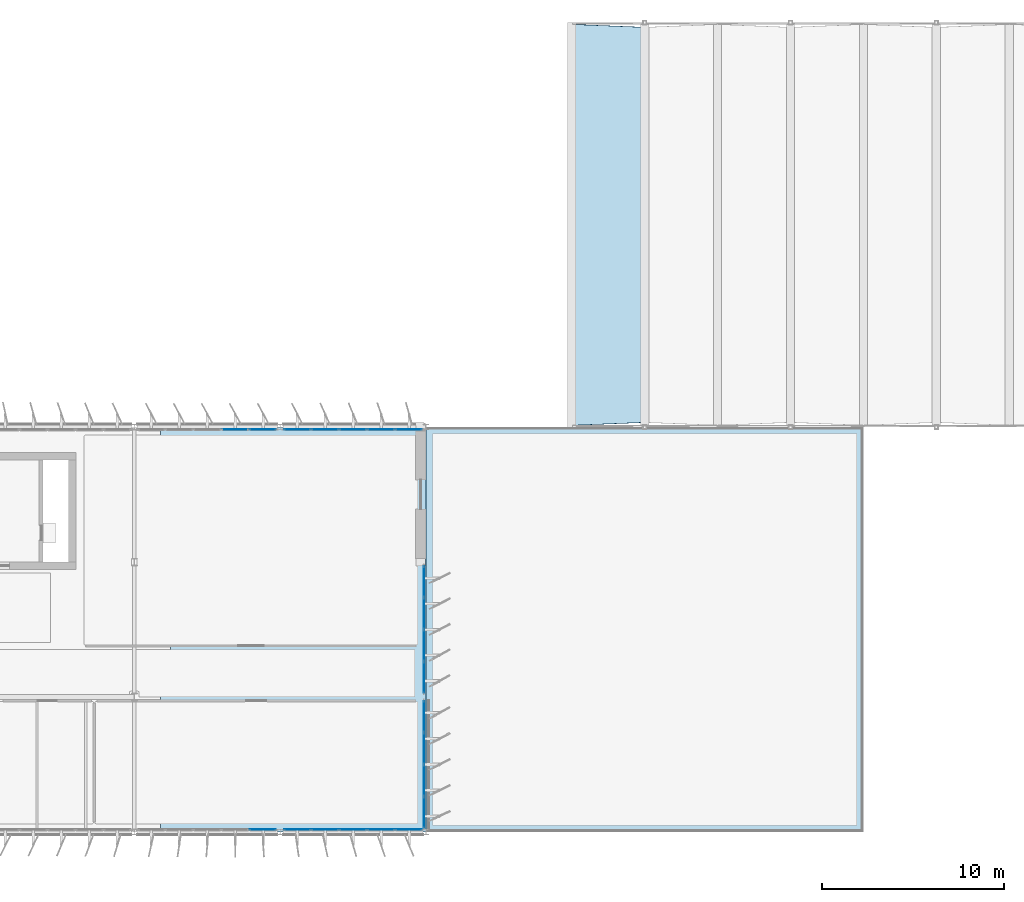
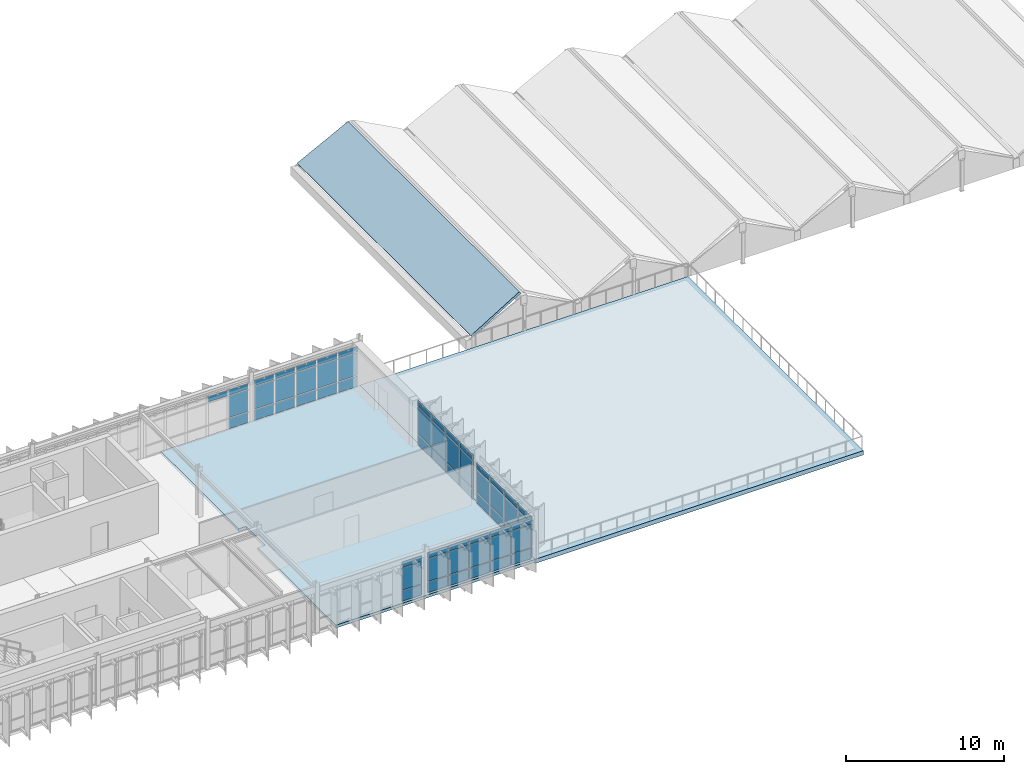
# One storey, part 23 of 35: 61 plates, 3 slabs, 6 elements without a shape of their own.
"""IFC4 building model written with IfcOpenShell, lengths in metres."""

from ifc_helpers import new_model, si_unit, direction, frame, origin, origin_2d, place, context, subcontext, project, spatial, polyline, rectangle, outline, extrude, material, layer, layer_set, type_object, element, aggregate, save


model = new_model("IFC4")

# Units and contexts
model_context = context("Model", 3, precision=1e-05, world=origin(), true_north=direction((0.0, 1.0)))
body_context = subcontext(model_context, "Body", "Model", "MODEL_VIEW")
ifc_project = project(units=[si_unit("LENGTHUNIT", "METRE"), si_unit("AREAUNIT", "SQUARE_METRE"), si_unit("VOLUMEUNIT", "CUBIC_METRE"), si_unit("PLANEANGLEUNIT", "RADIAN"), si_unit("MASSUNIT", "GRAM", prefix="KILO")], contexts=[model_context])

# Site, building, storey
site_placement = place(None, origin())
site = spatial("IfcSite", under=ifc_project, at=site_placement, CompositionType="ELEMENT")
building_placement = place(site_placement, origin())
building = spatial("IfcBuilding", under=site, at=building_placement, Name="Valkorina Park Police Headquarters", CompositionType="ELEMENT")
storey_placement = place(building_placement, frame((0.0, 0.0, 27.199951171875)))
storey = spatial("IfcBuildingStorey", under=building, at=storey_placement, Name="L07", CompositionType="ELEMENT", Elevation=27.199951171875)

# Curtain wall, plates
ifc_material_1 = material(Name="Thermally broken aluminium AW-6060", Category="aluminium")
ifc_layer_1 = layer(ifc_material_1, 0.18994140625)
ifc_layer_set_1 = layer_set([ifc_layer_1], Name="Thermally broken aluminium AW-6060")
curtain_wall_type_1 = type_object("IfcCurtainWallType", Name="CW-V5-7680x3230", PredefinedType="NOTDEFINED", material=ifc_layer_set_1)
curtain_wall_1_placement = place(storey_placement, origin())
curtain_wall_1 = element("IfcCurtainWall", 1, at=curtain_wall_1_placement, inside=storey, type_object=curtain_wall_type_1, Name="L07 Unitised Curtain Wall 133", PredefinedType="NOTDEFINED")
ifc_layer_2 = layer(ifc_material_1, 0.050048828125)
ifc_layer_set_2 = layer_set([ifc_layer_2], Name="Thermally broken aluminium AW-6060")
plate_type_1 = type_object("IfcPlateType", Name="PL-CWP-SPANDREL-50", PredefinedType="CURTAIN_PANEL", material=ifc_layer_set_2)
plate_1_placement = place(storey_placement, frame((71.8544921875, 37.1201171875, 0.070068359375), z_axis=(0.0, 0.0, 1.0), x_axis=(-1.0, 0.0, 0.0)))
plate_1 = element("IfcPlate", 2, at=plate_1_placement, type_object=plate_type_1, Name="CW-V5-768-323 panel 1.1", PredefinedType="CURTAIN_PANEL", context=body_context, shape_type="SweptSolid", body=[
    extrude(rectangle(XDim=1.430908203125, YDim=0.028076171875, at=origin_2d()), origin(), (0.0, 0.0, 1.0), 0.794921875),
])
plate_2_placement = place(storey_placement, frame((70.3359375, 37.1201171875, 0.070068359375), z_axis=(0.0, 0.0, 1.0), x_axis=(-1.0, 0.0, 0.0)))
plate_2 = element("IfcPlate", 3, at=plate_2_placement, type_object=plate_type_1, Name="CW-V5-768-323 panel 2.1", PredefinedType="CURTAIN_PANEL", context=body_context, shape_type="SweptSolid", body=[
    extrude(rectangle(XDim=1.466064453125, YDim=0.028076171875, at=origin_2d()), origin(), (0.0, 0.0, 1.0), 0.794921875),
])
plate_3_placement = place(storey_placement, frame((68.800048828125, 37.1201171875, 0.070068359375), z_axis=(0.0, 0.0, 1.0), x_axis=(-1.0, 0.0, 0.0)))
plate_3 = element("IfcPlate", 4, at=plate_3_placement, type_object=plate_type_1, Name="CW-V5-768-323 panel 3.1", PredefinedType="CURTAIN_PANEL", context=body_context, shape_type="SweptSolid", body=[
    extrude(rectangle(XDim=1.466064453125, YDim=0.028076171875, at=origin_2d()), origin(), (0.0, 0.0, 1.0), 0.794921875),
])
plate_4_placement = place(storey_placement, frame((67.263916015625, 37.1201171875, 0.070068359375), z_axis=(0.0, 0.0, 1.0), x_axis=(-1.0, 0.0, 0.0)))
plate_4 = element("IfcPlate", 5, at=plate_4_placement, type_object=plate_type_1, Name="CW-V5-768-323 panel 4.1", PredefinedType="CURTAIN_PANEL", context=body_context, shape_type="SweptSolid", body=[
    extrude(rectangle(XDim=1.466064453125, YDim=0.028076171875, at=origin_2d()), origin(), (0.0, 0.0, 1.0), 0.794921875),
])
plate_5_placement = place(storey_placement, frame((65.74560546875, 37.1201171875, 0.070068359375), z_axis=(0.0, 0.0, 1.0), x_axis=(-1.0, 0.0, 0.0)))
plate_5 = element("IfcPlate", 6, at=plate_5_placement, type_object=plate_type_1, Name="CW-V5-768-323 panel 5.1", PredefinedType="CURTAIN_PANEL", context=body_context, shape_type="SweptSolid", body=[
    extrude(rectangle(XDim=1.430908203125, YDim=0.028076171875, at=origin_2d()), origin(), (0.0, 0.0, 1.0), 0.794921875),
])

# Curtain wall, plate
ifc_layer_3 = layer(ifc_material_1, 0.18994140625)
ifc_layer_set_3 = layer_set([ifc_layer_3], Name="Thermally broken aluminium AW-6060")
curtain_wall_type_2 = type_object("IfcCurtainWallType", Name="CW-V5-7680x3160", PredefinedType="NOTDEFINED", material=ifc_layer_set_3)
curtain_wall_2_placement = place(storey_placement, origin())
curtain_wall_2 = element("IfcCurtainWall", 7, at=curtain_wall_2_placement, inside=storey, type_object=curtain_wall_type_2, Name="L07 Unitised Curtain Wall 134", PredefinedType="NOTDEFINED")
plate_6_placement = place(storey_placement, frame((63.8544921875, 37.1201171875, 0.070068359375), z_axis=(0.0, 0.0, 1.0), x_axis=(-1.0, 0.0, 0.0)))
plate_6 = element("IfcPlate", 8, at=plate_6_placement, type_object=plate_type_1, Name="CW-V5-768-316 panel 1.1", PredefinedType="CURTAIN_PANEL", context=body_context, shape_type="SweptSolid", body=[
    extrude(rectangle(XDim=1.430908203125, YDim=0.028076171875, at=origin_2d()), origin(), (0.0, 0.0, 1.0), 0.794921875),
])

curtain_wall_3_placement = place(storey_placement, origin())
curtain_wall_3 = element("IfcCurtainWall", 9, at=curtain_wall_3_placement, inside=storey, type_object=curtain_wall_type_2, Name="L07 Unitised Curtain Wall 152", PredefinedType="NOTDEFINED")
plate_7_placement = place(storey_placement, frame((63.8544921875, 59.080078125, 0.070068359375), z_axis=(0.0, 0.0, 1.0), x_axis=(1.0, 0.0, 0.0)))
plate_7 = element("IfcPlate", 10, at=plate_7_placement, type_object=plate_type_1, Name="CW-V5-768-316 panel 5.1", PredefinedType="CURTAIN_PANEL", context=body_context, shape_type="SweptSolid", body=[
    extrude(rectangle(XDim=1.430908203125, YDim=0.028076171875, at=origin_2d()), origin(), (0.0, 0.0, 1.0), 0.794921875),
])

# Curtain wall, plates
curtain_wall_4_placement = place(storey_placement, origin())
curtain_wall_4 = element("IfcCurtainWall", 11, at=curtain_wall_4_placement, inside=storey, type_object=curtain_wall_type_1, Name="L07 Unitised Curtain Wall 153", PredefinedType="NOTDEFINED")
plate_8_placement = place(storey_placement, frame((65.74560546875, 59.080078125, 0.070068359375), z_axis=(0.0, 0.0, 1.0), x_axis=(1.0, 0.0, 0.0)))
plate_8 = element("IfcPlate", 12, at=plate_8_placement, type_object=plate_type_1, Name="CW-V5-768-323 panel 1.1", PredefinedType="CURTAIN_PANEL", context=body_context, shape_type="SweptSolid", body=[
    extrude(rectangle(XDim=1.430908203125, YDim=0.028076171875, at=origin_2d()), origin(), (0.0, 0.0, 1.0), 0.794921875),
])
plate_9_placement = place(storey_placement, frame((67.263916015625, 59.080078125, 0.070068359375), z_axis=(0.0, 0.0, 1.0), x_axis=(1.0, 0.0, 0.0)))
plate_9 = element("IfcPlate", 13, at=plate_9_placement, type_object=plate_type_1, Name="CW-V5-768-323 panel 2.1", PredefinedType="CURTAIN_PANEL", context=body_context, shape_type="SweptSolid", body=[
    extrude(rectangle(XDim=1.466064453125, YDim=0.028076171875, at=origin_2d()), origin(), (0.0, 0.0, 1.0), 0.794921875),
])
plate_10_placement = place(storey_placement, frame((68.800048828125, 59.080078125, 0.070068359375), z_axis=(0.0, 0.0, 1.0), x_axis=(1.0, 0.0, 0.0)))
plate_10 = element("IfcPlate", 14, at=plate_10_placement, type_object=plate_type_1, Name="CW-V5-768-323 panel 3.1", PredefinedType="CURTAIN_PANEL", context=body_context, shape_type="SweptSolid", body=[
    extrude(rectangle(XDim=1.466064453125, YDim=0.028076171875, at=origin_2d()), origin(), (0.0, 0.0, 1.0), 0.794921875),
])
plate_11_placement = place(storey_placement, frame((70.3359375, 59.080078125, 0.070068359375), z_axis=(0.0, 0.0, 1.0), x_axis=(1.0, 0.0, 0.0)))
plate_11 = element("IfcPlate", 15, at=plate_11_placement, type_object=plate_type_1, Name="CW-V5-768-323 panel 4.1", PredefinedType="CURTAIN_PANEL", context=body_context, shape_type="SweptSolid", body=[
    extrude(rectangle(XDim=1.466064453125, YDim=0.028076171875, at=origin_2d()), origin(), (0.0, 0.0, 1.0), 0.794921875),
])
plate_12_placement = place(storey_placement, frame((71.8544921875, 59.080078125, 0.070068359375), z_axis=(0.0, 0.0, 1.0), x_axis=(1.0, 0.0, 0.0)))
plate_12 = element("IfcPlate", 16, at=plate_12_placement, type_object=plate_type_1, Name="CW-V5-768-323 panel 5.1", PredefinedType="CURTAIN_PANEL", context=body_context, shape_type="SweptSolid", body=[
    extrude(rectangle(XDim=1.430908203125, YDim=0.028076171875, at=origin_2d()), origin(), (0.0, 0.0, 1.0), 0.794921875),
])

ifc_layer_4 = layer(ifc_material_1, 0.18994140625)
ifc_layer_set_4 = layer_set([ifc_layer_4], Name="Thermally broken aluminium AW-6060")
curtain_wall_type_3 = type_object("IfcCurtainWallType", Name="CW-V5-7060x3560", PredefinedType="NOTDEFINED", material=ifc_layer_set_4)
curtain_wall_5_placement = place(storey_placement, origin())
curtain_wall_5 = element("IfcCurtainWall", 17, at=curtain_wall_5_placement, inside=storey, type_object=curtain_wall_type_3, Name="L07 Unitised Curtain Wall 154", PredefinedType="NOTDEFINED")
plate_13_placement = place(storey_placement, frame((72.679931640625, 50.72998046875, 0.070068359375), z_axis=(0.0, 0.0, 1.0), x_axis=(0.0, -1.0, 0.0)))
plate_13 = element("IfcPlate", 18, at=plate_13_placement, type_object=plate_type_1, Name="CW-V5-706-356 panel 1.1", PredefinedType="CURTAIN_PANEL", context=body_context, shape_type="SweptSolid", body=[
    extrude(rectangle(XDim=1.659912109375, YDim=0.028076171875, at=origin_2d()), origin(), (0.0, 0.0, 1.0), 0.794921875),
])
plate_14_placement = place(storey_placement, frame((72.679931640625, 48.982421875, 0.070068359375), z_axis=(0.0, 0.0, 1.0), x_axis=(0.0, -1.0, 0.0)))
plate_14 = element("IfcPlate", 19, at=plate_14_placement, type_object=plate_type_1, Name="CW-V5-706-356 panel 2.1", PredefinedType="CURTAIN_PANEL", context=body_context, shape_type="SweptSolid", body=[
    extrude(rectangle(XDim=1.695068359375, YDim=0.028076171875, at=origin_2d()), origin(), (0.0, 0.0, 1.0), 0.794921875),
])
plate_15_placement = place(storey_placement, frame((72.679931640625, 47.217529296875, 0.070068359375), z_axis=(0.0, 0.0, 1.0), x_axis=(0.0, -1.0, 0.0)))
plate_15 = element("IfcPlate", 20, at=plate_15_placement, type_object=plate_type_1, Name="CW-V5-706-356 panel 3.1", PredefinedType="CURTAIN_PANEL", context=body_context, shape_type="SweptSolid", body=[
    extrude(rectangle(XDim=1.695068359375, YDim=0.028076171875, at=origin_2d()), origin(), (0.0, 0.0, 1.0), 0.794921875),
])
plate_16_placement = place(storey_placement, frame((72.679931640625, 45.469970703125, 0.070068359375), z_axis=(0.0, 0.0, 1.0), x_axis=(0.0, -1.0, 0.0)))
plate_16 = element("IfcPlate", 21, at=plate_16_placement, type_object=plate_type_1, Name="CW-V5-706-356 panel 4.1", PredefinedType="CURTAIN_PANEL", context=body_context, shape_type="SweptSolid", body=[
    extrude(rectangle(XDim=1.659912109375, YDim=0.028076171875, at=origin_2d()), origin(), (0.0, 0.0, 1.0), 0.794921875),
])

ifc_layer_5 = layer(ifc_material_1, 0.18994140625)
ifc_layer_set_5 = layer_set([ifc_layer_5], Name="Thermally broken aluminium AW-6060")
curtain_wall_type_4 = type_object("IfcCurtainWallType", Name="CW-V5-7070x3230", PredefinedType="NOTDEFINED", material=ifc_layer_set_5)
curtain_wall_6_placement = place(storey_placement, origin())
curtain_wall_6 = element("IfcCurtainWall", 22, at=curtain_wall_6_placement, inside=storey, type_object=curtain_wall_type_4, Name="L07 Unitised Curtain Wall 155", PredefinedType="NOTDEFINED")
plate_17_placement = place(storey_placement, frame((72.679931640625, 43.328857421875, 0.070068359375), z_axis=(0.0, 0.0, 1.0), x_axis=(0.0, -1.0, 0.0)))
plate_17 = element("IfcPlate", 23, at=plate_17_placement, type_object=plate_type_1, Name="CW-V5-707-323 panel 1.1", PredefinedType="CURTAIN_PANEL", context=body_context, shape_type="SweptSolid", body=[
    extrude(rectangle(XDim=1.66259765625, YDim=0.028076171875, at=origin_2d()), origin(), (0.0, 0.0, 1.0), 0.794921875),
])
plate_18_placement = place(storey_placement, frame((72.679931640625, 41.578857421875, 0.070068359375), z_axis=(0.0, 0.0, 1.0), x_axis=(0.0, -1.0, 0.0)))
plate_18 = element("IfcPlate", 24, at=plate_18_placement, type_object=plate_type_1, Name="CW-V5-707-323 panel 2.1", PredefinedType="CURTAIN_PANEL", context=body_context, shape_type="SweptSolid", body=[
    extrude(rectangle(XDim=1.697509765625, YDim=0.028076171875, at=origin_2d()), origin(), (0.0, 0.0, 1.0), 0.794921875),
])
plate_19_placement = place(storey_placement, frame((72.679931640625, 39.811279296875, 0.070068359375), z_axis=(0.0, 0.0, 1.0), x_axis=(0.0, -1.0, 0.0)))
plate_19 = element("IfcPlate", 25, at=plate_19_placement, type_object=plate_type_1, Name="CW-V5-707-323 panel 3.1", PredefinedType="CURTAIN_PANEL", context=body_context, shape_type="SweptSolid", body=[
    extrude(rectangle(XDim=1.697509765625, YDim=0.028076171875, at=origin_2d()), origin(), (0.0, 0.0, 1.0), 0.794921875),
])
plate_20_placement = place(storey_placement, frame((72.679931640625, 38.061279296875, 0.070068359375), z_axis=(0.0, 0.0, 1.0), x_axis=(0.0, -1.0, 0.0)))
plate_20 = element("IfcPlate", 26, at=plate_20_placement, type_object=plate_type_1, Name="CW-V5-707-323 panel 4.1", PredefinedType="CURTAIN_PANEL", context=body_context, shape_type="SweptSolid", body=[
    extrude(rectangle(XDim=1.66259765625, YDim=0.028076171875, at=origin_2d()), origin(), (0.0, 0.0, 1.0), 0.794921875),
])

# Plate
ifc_material_2 = material(Name="Triple low-E insulated glazing", Category="glass")
ifc_layer_6 = layer(ifc_material_2, 0.028076171875)
ifc_layer_set_6 = layer_set([ifc_layer_6], Name="Triple low-E insulated glazing")
plate_type_2 = type_object("IfcPlateType", Name="PL-CWP-VISION-28", PredefinedType="CURTAIN_PANEL", material=ifc_layer_set_6)
plate_21_placement = place(storey_placement, frame((71.8544921875, 37.1201171875, 0.93505859375), z_axis=(0.0, 0.0, 1.0), x_axis=(-1.0, 0.0, 0.0)))
plate_21 = element("IfcPlate", 27, at=plate_21_placement, type_object=plate_type_2, Name="CW-V5-768-323 panel 1.2", PredefinedType="CURTAIN_PANEL", context=body_context, shape_type="SweptSolid", body=[
    extrude(rectangle(XDim=1.430908203125, YDim=0.028076171875, at=origin_2d()), origin(), (0.0, 0.0, 1.0), 1.739990234375),
])

plate_22_placement = place(storey_placement, frame((71.8544921875, 37.1201171875, 2.7451171875), z_axis=(0.0, 0.0, 1.0), x_axis=(-1.0, 0.0, 0.0)))
plate_22 = element("IfcPlate", 28, at=plate_22_placement, type_object=plate_type_2, Name="CW-V5-768-323 panel 1.3", PredefinedType="CURTAIN_PANEL", context=body_context, shape_type="SweptSolid", body=[
    extrude(rectangle(XDim=1.430908203125, YDim=0.028076171875, at=origin_2d()), origin(), (0.0, 0.0, 1.0), 0.4150390625),
])

plate_23_placement = place(storey_placement, frame((70.3359375, 37.1201171875, 0.93505859375), z_axis=(0.0, 0.0, 1.0), x_axis=(-1.0, 0.0, 0.0)))
plate_23 = element("IfcPlate", 29, at=plate_23_placement, type_object=plate_type_2, Name="CW-V5-768-323 panel 2.2", PredefinedType="CURTAIN_PANEL", context=body_context, shape_type="SweptSolid", body=[
    extrude(rectangle(XDim=1.466064453125, YDim=0.028076171875, at=origin_2d()), origin(), (0.0, 0.0, 1.0), 1.739990234375),
])

plate_24_placement = place(storey_placement, frame((70.3359375, 37.1201171875, 2.7451171875), z_axis=(0.0, 0.0, 1.0), x_axis=(-1.0, 0.0, 0.0)))
plate_24 = element("IfcPlate", 30, at=plate_24_placement, type_object=plate_type_2, Name="CW-V5-768-323 panel 2.3", PredefinedType="CURTAIN_PANEL", context=body_context, shape_type="SweptSolid", body=[
    extrude(rectangle(XDim=1.466064453125, YDim=0.028076171875, at=origin_2d()), origin(), (0.0, 0.0, 1.0), 0.4150390625),
])

plate_25_placement = place(storey_placement, frame((68.800048828125, 37.1201171875, 0.93505859375), z_axis=(0.0, 0.0, 1.0), x_axis=(-1.0, 0.0, 0.0)))
plate_25 = element("IfcPlate", 31, at=plate_25_placement, type_object=plate_type_2, Name="CW-V5-768-323 panel 3.2", PredefinedType="CURTAIN_PANEL", context=body_context, shape_type="SweptSolid", body=[
    extrude(rectangle(XDim=1.466064453125, YDim=0.028076171875, at=origin_2d()), origin(), (0.0, 0.0, 1.0), 1.739990234375),
])

plate_26_placement = place(storey_placement, frame((68.800048828125, 37.1201171875, 2.7451171875), z_axis=(0.0, 0.0, 1.0), x_axis=(-1.0, 0.0, 0.0)))
plate_26 = element("IfcPlate", 32, at=plate_26_placement, type_object=plate_type_2, Name="CW-V5-768-323 panel 3.3", PredefinedType="CURTAIN_PANEL", context=body_context, shape_type="SweptSolid", body=[
    extrude(rectangle(XDim=1.466064453125, YDim=0.028076171875, at=origin_2d()), origin(), (0.0, 0.0, 1.0), 0.4150390625),
])

plate_27_placement = place(storey_placement, frame((67.263916015625, 37.1201171875, 0.93505859375), z_axis=(0.0, 0.0, 1.0), x_axis=(-1.0, 0.0, 0.0)))
plate_27 = element("IfcPlate", 33, at=plate_27_placement, type_object=plate_type_2, Name="CW-V5-768-323 panel 4.2", PredefinedType="CURTAIN_PANEL", context=body_context, shape_type="SweptSolid", body=[
    extrude(rectangle(XDim=1.466064453125, YDim=0.028076171875, at=origin_2d()), origin(), (0.0, 0.0, 1.0), 1.739990234375),
])

plate_28_placement = place(storey_placement, frame((67.263916015625, 37.1201171875, 2.7451171875), z_axis=(0.0, 0.0, 1.0), x_axis=(-1.0, 0.0, 0.0)))
plate_28 = element("IfcPlate", 34, at=plate_28_placement, type_object=plate_type_2, Name="CW-V5-768-323 panel 4.3", PredefinedType="CURTAIN_PANEL", context=body_context, shape_type="SweptSolid", body=[
    extrude(rectangle(XDim=1.466064453125, YDim=0.028076171875, at=origin_2d()), origin(), (0.0, 0.0, 1.0), 0.4150390625),
])

plate_29_placement = place(storey_placement, frame((65.74560546875, 37.1201171875, 0.93505859375), z_axis=(0.0, 0.0, 1.0), x_axis=(-1.0, 0.0, 0.0)))
plate_29 = element("IfcPlate", 35, at=plate_29_placement, type_object=plate_type_2, Name="CW-V5-768-323 panel 5.2", PredefinedType="CURTAIN_PANEL", context=body_context, shape_type="SweptSolid", body=[
    extrude(rectangle(XDim=1.430908203125, YDim=0.028076171875, at=origin_2d()), origin(), (0.0, 0.0, 1.0), 1.739990234375),
])

plate_30_placement = place(storey_placement, frame((65.74560546875, 37.1201171875, 2.7451171875), z_axis=(0.0, 0.0, 1.0), x_axis=(-1.0, 0.0, 0.0)))
plate_30 = element("IfcPlate", 36, at=plate_30_placement, type_object=plate_type_2, Name="CW-V5-768-323 panel 5.3", PredefinedType="CURTAIN_PANEL", context=body_context, shape_type="SweptSolid", body=[
    extrude(rectangle(XDim=1.430908203125, YDim=0.028076171875, at=origin_2d()), origin(), (0.0, 0.0, 1.0), 0.4150390625),
])

aggregate(curtain_wall_1, [plate_1, plate_21, plate_22, plate_2, plate_23, plate_24, plate_3, plate_25, plate_26, plate_4, plate_27, plate_28, plate_5, plate_29, plate_30])

plate_31_placement = place(storey_placement, frame((63.8544921875, 37.1201171875, 0.93505859375), z_axis=(0.0, 0.0, 1.0), x_axis=(-1.0, 0.0, 0.0)))
plate_31 = element("IfcPlate", 37, at=plate_31_placement, type_object=plate_type_2, Name="CW-V5-768-316 panel 1.2", PredefinedType="CURTAIN_PANEL", context=body_context, shape_type="SweptSolid", body=[
    extrude(rectangle(XDim=1.430908203125, YDim=0.028076171875, at=origin_2d()), origin(), (0.0, 0.0, 1.0), 1.669921875),
])

plate_32_placement = place(storey_placement, frame((63.8544921875, 37.1201171875, 2.675048828125), z_axis=(0.0, 0.0, 1.0), x_axis=(-1.0, 0.0, 0.0)))
plate_32 = element("IfcPlate", 38, at=plate_32_placement, type_object=plate_type_2, Name="CW-V5-768-316 panel 1.3", PredefinedType="CURTAIN_PANEL", context=body_context, shape_type="SweptSolid", body=[
    extrude(rectangle(XDim=1.430908203125, YDim=0.028076171875, at=origin_2d()), origin(), (0.0, 0.0, 1.0), 0.4150390625),
])

aggregate(curtain_wall_2, [plate_6, plate_31, plate_32])

plate_33_placement = place(storey_placement, frame((62.3359375, 59.080078125, 2.675048828125), z_axis=(0.0, 0.0, 1.0), x_axis=(1.0, 0.0, 0.0)))
plate_33 = element("IfcPlate", 39, at=plate_33_placement, type_object=plate_type_2, Name="CW-V5-768-316 panel 4.3", PredefinedType="CURTAIN_PANEL", context=body_context, shape_type="SweptSolid", body=[
    extrude(rectangle(XDim=1.466064453125, YDim=0.028076171875, at=origin_2d()), origin(), (0.0, 0.0, 1.0), 0.4150390625),
])

plate_34_placement = place(storey_placement, frame((63.8544921875, 59.080078125, 0.93505859375), z_axis=(0.0, 0.0, 1.0), x_axis=(1.0, 0.0, 0.0)))
plate_34 = element("IfcPlate", 40, at=plate_34_placement, type_object=plate_type_2, Name="CW-V5-768-316 panel 5.2", PredefinedType="CURTAIN_PANEL", context=body_context, shape_type="SweptSolid", body=[
    extrude(rectangle(XDim=1.430908203125, YDim=0.028076171875, at=origin_2d()), origin(), (0.0, 0.0, 1.0), 1.669921875),
])

plate_35_placement = place(storey_placement, frame((63.8544921875, 59.080078125, 2.675048828125), z_axis=(0.0, 0.0, 1.0), x_axis=(1.0, 0.0, 0.0)))
plate_35 = element("IfcPlate", 41, at=plate_35_placement, type_object=plate_type_2, Name="CW-V5-768-316 panel 5.3", PredefinedType="CURTAIN_PANEL", context=body_context, shape_type="SweptSolid", body=[
    extrude(rectangle(XDim=1.430908203125, YDim=0.028076171875, at=origin_2d()), origin(), (0.0, 0.0, 1.0), 0.4150390625),
])

aggregate(curtain_wall_3, [plate_33, plate_7, plate_34, plate_35])

plate_36_placement = place(storey_placement, frame((65.74560546875, 59.080078125, 0.93505859375), z_axis=(0.0, 0.0, 1.0), x_axis=(1.0, 0.0, 0.0)))
plate_36 = element("IfcPlate", 42, at=plate_36_placement, type_object=plate_type_2, Name="CW-V5-768-323 panel 1.2", PredefinedType="CURTAIN_PANEL", context=body_context, shape_type="SweptSolid", body=[
    extrude(rectangle(XDim=1.430908203125, YDim=0.028076171875, at=origin_2d()), origin(), (0.0, 0.0, 1.0), 1.739990234375),
])

plate_37_placement = place(storey_placement, frame((65.74560546875, 59.080078125, 2.7451171875), z_axis=(0.0, 0.0, 1.0), x_axis=(1.0, 0.0, 0.0)))
plate_37 = element("IfcPlate", 43, at=plate_37_placement, type_object=plate_type_2, Name="CW-V5-768-323 panel 1.3", PredefinedType="CURTAIN_PANEL", context=body_context, shape_type="SweptSolid", body=[
    extrude(rectangle(XDim=1.430908203125, YDim=0.028076171875, at=origin_2d()), origin(), (0.0, 0.0, 1.0), 0.4150390625),
])

plate_38_placement = place(storey_placement, frame((67.263916015625, 59.080078125, 0.93505859375), z_axis=(0.0, 0.0, 1.0), x_axis=(1.0, 0.0, 0.0)))
plate_38 = element("IfcPlate", 44, at=plate_38_placement, type_object=plate_type_2, Name="CW-V5-768-323 panel 2.2", PredefinedType="CURTAIN_PANEL", context=body_context, shape_type="SweptSolid", body=[
    extrude(rectangle(XDim=1.466064453125, YDim=0.028076171875, at=origin_2d()), origin(), (0.0, 0.0, 1.0), 1.739990234375),
])

plate_39_placement = place(storey_placement, frame((67.263916015625, 59.080078125, 2.7451171875), z_axis=(0.0, 0.0, 1.0), x_axis=(1.0, 0.0, 0.0)))
plate_39 = element("IfcPlate", 45, at=plate_39_placement, type_object=plate_type_2, Name="CW-V5-768-323 panel 2.3", PredefinedType="CURTAIN_PANEL", context=body_context, shape_type="SweptSolid", body=[
    extrude(rectangle(XDim=1.466064453125, YDim=0.028076171875, at=origin_2d()), origin(), (0.0, 0.0, 1.0), 0.4150390625),
])

plate_40_placement = place(storey_placement, frame((68.800048828125, 59.080078125, 0.93505859375), z_axis=(0.0, 0.0, 1.0), x_axis=(1.0, 0.0, 0.0)))
plate_40 = element("IfcPlate", 46, at=plate_40_placement, type_object=plate_type_2, Name="CW-V5-768-323 panel 3.2", PredefinedType="CURTAIN_PANEL", context=body_context, shape_type="SweptSolid", body=[
    extrude(rectangle(XDim=1.466064453125, YDim=0.028076171875, at=origin_2d()), origin(), (0.0, 0.0, 1.0), 1.739990234375),
])

plate_41_placement = place(storey_placement, frame((68.800048828125, 59.080078125, 2.7451171875), z_axis=(0.0, 0.0, 1.0), x_axis=(1.0, 0.0, 0.0)))
plate_41 = element("IfcPlate", 47, at=plate_41_placement, type_object=plate_type_2, Name="CW-V5-768-323 panel 3.3", PredefinedType="CURTAIN_PANEL", context=body_context, shape_type="SweptSolid", body=[
    extrude(rectangle(XDim=1.466064453125, YDim=0.028076171875, at=origin_2d()), origin(), (0.0, 0.0, 1.0), 0.4150390625),
])

plate_42_placement = place(storey_placement, frame((70.3359375, 59.080078125, 0.93505859375), z_axis=(0.0, 0.0, 1.0), x_axis=(1.0, 0.0, 0.0)))
plate_42 = element("IfcPlate", 48, at=plate_42_placement, type_object=plate_type_2, Name="CW-V5-768-323 panel 4.2", PredefinedType="CURTAIN_PANEL", context=body_context, shape_type="SweptSolid", body=[
    extrude(rectangle(XDim=1.466064453125, YDim=0.028076171875, at=origin_2d()), origin(), (0.0, 0.0, 1.0), 1.739990234375),
])

plate_43_placement = place(storey_placement, frame((70.3359375, 59.080078125, 2.7451171875), z_axis=(0.0, 0.0, 1.0), x_axis=(1.0, 0.0, 0.0)))
plate_43 = element("IfcPlate", 49, at=plate_43_placement, type_object=plate_type_2, Name="CW-V5-768-323 panel 4.3", PredefinedType="CURTAIN_PANEL", context=body_context, shape_type="SweptSolid", body=[
    extrude(rectangle(XDim=1.466064453125, YDim=0.028076171875, at=origin_2d()), origin(), (0.0, 0.0, 1.0), 0.4150390625),
])

plate_44_placement = place(storey_placement, frame((71.8544921875, 59.080078125, 0.93505859375), z_axis=(0.0, 0.0, 1.0), x_axis=(1.0, 0.0, 0.0)))
plate_44 = element("IfcPlate", 50, at=plate_44_placement, type_object=plate_type_2, Name="CW-V5-768-323 panel 5.2", PredefinedType="CURTAIN_PANEL", context=body_context, shape_type="SweptSolid", body=[
    extrude(rectangle(XDim=1.430908203125, YDim=0.028076171875, at=origin_2d()), origin(), (0.0, 0.0, 1.0), 1.739990234375),
])

plate_45_placement = place(storey_placement, frame((71.8544921875, 59.080078125, 2.7451171875), z_axis=(0.0, 0.0, 1.0), x_axis=(1.0, 0.0, 0.0)))
plate_45 = element("IfcPlate", 51, at=plate_45_placement, type_object=plate_type_2, Name="CW-V5-768-323 panel 5.3", PredefinedType="CURTAIN_PANEL", context=body_context, shape_type="SweptSolid", body=[
    extrude(rectangle(XDim=1.430908203125, YDim=0.028076171875, at=origin_2d()), origin(), (0.0, 0.0, 1.0), 0.4150390625),
])

aggregate(curtain_wall_4, [plate_8, plate_36, plate_37, plate_9, plate_38, plate_39, plate_10, plate_40, plate_41, plate_11, plate_42, plate_43, plate_12, plate_44, plate_45])

plate_46_placement = place(storey_placement, frame((72.679931640625, 50.72998046875, 0.93505859375), z_axis=(0.0, 0.0, 1.0), x_axis=(0.0, -1.0, 0.0)))
plate_46 = element("IfcPlate", 52, at=plate_46_placement, type_object=plate_type_2, Name="CW-V5-706-356 panel 1.2", PredefinedType="CURTAIN_PANEL", context=body_context, shape_type="SweptSolid", body=[
    extrude(rectangle(XDim=1.659912109375, YDim=0.028076171875, at=origin_2d()), origin(), (0.0, 0.0, 1.0), 2.070068359375),
])

plate_47_placement = place(storey_placement, frame((72.679931640625, 50.72998046875, 3.074951171875), z_axis=(0.0, 0.0, 1.0), x_axis=(0.0, -1.0, 0.0)))
plate_47 = element("IfcPlate", 53, at=plate_47_placement, type_object=plate_type_2, Name="CW-V5-706-356 panel 1.3", PredefinedType="CURTAIN_PANEL", context=body_context, shape_type="SweptSolid", body=[
    extrude(rectangle(XDim=1.659912109375, YDim=0.028076171875, at=origin_2d()), origin(), (0.0, 0.0, 1.0), 0.4150390625),
])

plate_48_placement = place(storey_placement, frame((72.679931640625, 48.982421875, 0.93505859375), z_axis=(0.0, 0.0, 1.0), x_axis=(0.0, -1.0, 0.0)))
plate_48 = element("IfcPlate", 54, at=plate_48_placement, type_object=plate_type_2, Name="CW-V5-706-356 panel 2.2", PredefinedType="CURTAIN_PANEL", context=body_context, shape_type="SweptSolid", body=[
    extrude(rectangle(XDim=1.695068359375, YDim=0.028076171875, at=origin_2d()), origin(), (0.0, 0.0, 1.0), 2.070068359375),
])

plate_49_placement = place(storey_placement, frame((72.679931640625, 48.982421875, 3.074951171875), z_axis=(0.0, 0.0, 1.0), x_axis=(0.0, -1.0, 0.0)))
plate_49 = element("IfcPlate", 55, at=plate_49_placement, type_object=plate_type_2, Name="CW-V5-706-356 panel 2.3", PredefinedType="CURTAIN_PANEL", context=body_context, shape_type="SweptSolid", body=[
    extrude(rectangle(XDim=1.695068359375, YDim=0.028076171875, at=origin_2d()), origin(), (0.0, 0.0, 1.0), 0.4150390625),
])

plate_50_placement = place(storey_placement, frame((72.679931640625, 47.217529296875, 0.93505859375), z_axis=(0.0, 0.0, 1.0), x_axis=(0.0, -1.0, 0.0)))
plate_50 = element("IfcPlate", 56, at=plate_50_placement, type_object=plate_type_2, Name="CW-V5-706-356 panel 3.2", PredefinedType="CURTAIN_PANEL", context=body_context, shape_type="SweptSolid", body=[
    extrude(rectangle(XDim=1.695068359375, YDim=0.028076171875, at=origin_2d()), origin(), (0.0, 0.0, 1.0), 2.070068359375),
])

plate_51_placement = place(storey_placement, frame((72.679931640625, 47.217529296875, 3.074951171875), z_axis=(0.0, 0.0, 1.0), x_axis=(0.0, -1.0, 0.0)))
plate_51 = element("IfcPlate", 57, at=plate_51_placement, type_object=plate_type_2, Name="CW-V5-706-356 panel 3.3", PredefinedType="CURTAIN_PANEL", context=body_context, shape_type="SweptSolid", body=[
    extrude(rectangle(XDim=1.695068359375, YDim=0.028076171875, at=origin_2d()), origin(), (0.0, 0.0, 1.0), 0.4150390625),
])

plate_52_placement = place(storey_placement, frame((72.679931640625, 45.469970703125, 0.93505859375), z_axis=(0.0, 0.0, 1.0), x_axis=(0.0, -1.0, 0.0)))
plate_52 = element("IfcPlate", 58, at=plate_52_placement, type_object=plate_type_2, Name="CW-V5-706-356 panel 4.2", PredefinedType="CURTAIN_PANEL", context=body_context, shape_type="SweptSolid", body=[
    extrude(rectangle(XDim=1.659912109375, YDim=0.028076171875, at=origin_2d()), origin(), (0.0, 0.0, 1.0), 2.070068359375),
])

plate_53_placement = place(storey_placement, frame((72.679931640625, 45.469970703125, 3.074951171875), z_axis=(0.0, 0.0, 1.0), x_axis=(0.0, -1.0, 0.0)))
plate_53 = element("IfcPlate", 59, at=plate_53_placement, type_object=plate_type_2, Name="CW-V5-706-356 panel 4.3", PredefinedType="CURTAIN_PANEL", context=body_context, shape_type="SweptSolid", body=[
    extrude(rectangle(XDim=1.659912109375, YDim=0.028076171875, at=origin_2d()), origin(), (0.0, 0.0, 1.0), 0.4150390625),
])

aggregate(curtain_wall_5, [plate_13, plate_46, plate_47, plate_14, plate_48, plate_49, plate_15, plate_50, plate_51, plate_16, plate_52, plate_53])

plate_54_placement = place(storey_placement, frame((72.679931640625, 43.328857421875, 0.93505859375), z_axis=(0.0, 0.0, 1.0), x_axis=(0.0, -1.0, 0.0)))
plate_54 = element("IfcPlate", 60, at=plate_54_placement, type_object=plate_type_2, Name="CW-V5-707-323 panel 1.2", PredefinedType="CURTAIN_PANEL", context=body_context, shape_type="SweptSolid", body=[
    extrude(rectangle(XDim=1.66259765625, YDim=0.028076171875, at=origin_2d()), origin(), (0.0, 0.0, 1.0), 1.739990234375),
])

plate_55_placement = place(storey_placement, frame((72.679931640625, 43.328857421875, 2.7451171875), z_axis=(0.0, 0.0, 1.0), x_axis=(0.0, -1.0, 0.0)))
plate_55 = element("IfcPlate", 61, at=plate_55_placement, type_object=plate_type_2, Name="CW-V5-707-323 panel 1.3", PredefinedType="CURTAIN_PANEL", context=body_context, shape_type="SweptSolid", body=[
    extrude(rectangle(XDim=1.66259765625, YDim=0.028076171875, at=origin_2d()), origin(), (0.0, 0.0, 1.0), 0.4150390625),
])

plate_56_placement = place(storey_placement, frame((72.679931640625, 41.578857421875, 0.93505859375), z_axis=(0.0, 0.0, 1.0), x_axis=(0.0, -1.0, 0.0)))
plate_56 = element("IfcPlate", 62, at=plate_56_placement, type_object=plate_type_2, Name="CW-V5-707-323 panel 2.2", PredefinedType="CURTAIN_PANEL", context=body_context, shape_type="SweptSolid", body=[
    extrude(rectangle(XDim=1.697509765625, YDim=0.028076171875, at=origin_2d()), origin(), (0.0, 0.0, 1.0), 1.739990234375),
])

plate_57_placement = place(storey_placement, frame((72.679931640625, 41.578857421875, 2.7451171875), z_axis=(0.0, 0.0, 1.0), x_axis=(0.0, -1.0, 0.0)))
plate_57 = element("IfcPlate", 63, at=plate_57_placement, type_object=plate_type_2, Name="CW-V5-707-323 panel 2.3", PredefinedType="CURTAIN_PANEL", context=body_context, shape_type="SweptSolid", body=[
    extrude(rectangle(XDim=1.697509765625, YDim=0.028076171875, at=origin_2d()), origin(), (0.0, 0.0, 1.0), 0.4150390625),
])

plate_58_placement = place(storey_placement, frame((72.679931640625, 39.811279296875, 0.93505859375), z_axis=(0.0, 0.0, 1.0), x_axis=(0.0, -1.0, 0.0)))
plate_58 = element("IfcPlate", 64, at=plate_58_placement, type_object=plate_type_2, Name="CW-V5-707-323 panel 3.2", PredefinedType="CURTAIN_PANEL", context=body_context, shape_type="SweptSolid", body=[
    extrude(rectangle(XDim=1.697509765625, YDim=0.028076171875, at=origin_2d()), origin(), (0.0, 0.0, 1.0), 1.739990234375),
])

plate_59_placement = place(storey_placement, frame((72.679931640625, 39.811279296875, 2.7451171875), z_axis=(0.0, 0.0, 1.0), x_axis=(0.0, -1.0, 0.0)))
plate_59 = element("IfcPlate", 65, at=plate_59_placement, type_object=plate_type_2, Name="CW-V5-707-323 panel 3.3", PredefinedType="CURTAIN_PANEL", context=body_context, shape_type="SweptSolid", body=[
    extrude(rectangle(XDim=1.697509765625, YDim=0.028076171875, at=origin_2d()), origin(), (0.0, 0.0, 1.0), 0.4150390625),
])

plate_60_placement = place(storey_placement, frame((72.679931640625, 38.061279296875, 0.93505859375), z_axis=(0.0, 0.0, 1.0), x_axis=(0.0, -1.0, 0.0)))
plate_60 = element("IfcPlate", 66, at=plate_60_placement, type_object=plate_type_2, Name="CW-V5-707-323 panel 4.2", PredefinedType="CURTAIN_PANEL", context=body_context, shape_type="SweptSolid", body=[
    extrude(rectangle(XDim=1.66259765625, YDim=0.028076171875, at=origin_2d()), origin(), (0.0, 0.0, 1.0), 1.739990234375),
])

plate_61_placement = place(storey_placement, frame((72.679931640625, 38.061279296875, 2.7451171875), z_axis=(0.0, 0.0, 1.0), x_axis=(0.0, -1.0, 0.0)))
plate_61 = element("IfcPlate", 67, at=plate_61_placement, type_object=plate_type_2, Name="CW-V5-707-323 panel 4.3", PredefinedType="CURTAIN_PANEL", context=body_context, shape_type="SweptSolid", body=[
    extrude(rectangle(XDim=1.66259765625, YDim=0.028076171875, at=origin_2d()), origin(), (0.0, 0.0, 1.0), 0.4150390625),
])

aggregate(curtain_wall_6, [plate_17, plate_54, plate_55, plate_18, plate_56, plate_57, plate_19, plate_58, plate_59, plate_20, plate_60, plate_61])

# Slabs
ifc_material_3 = material(Name="Concrete C35/45", Category="concrete")
ifc_layer_7 = layer(ifc_material_3, 0.219970703125)
ifc_layer_set_7 = layer_set([ifc_layer_7], Name="Concrete C35/45")
slab_type_1 = type_object("IfcSlabType", Name="SL-COMP-OFF-150", PredefinedType="FLOOR", material=ifc_layer_set_7)
slab_1_placement = place(storey_placement, frame((0.0, 0.0, -0.219970703125)))
element("IfcSlab", 68, at=slab_1_placement, inside=storey, type_object=slab_type_1, Name="L07 Structural Floor Slab 110", PredefinedType="FLOOR", context=body_context, shape_type="SweptSolid", body=[
    extrude(outline(polyline([(58.239990234375, 59.19189453125), (58.239990234375, 49.2958984375), (58.7900390625, 49.2958984375), (58.7900390625, 46.89599609375), (58.239990234375, 46.89599609375), (58.239990234375, 37.0), (72.800048828125, 37.0), (72.800048828125, 59.19189453125), (58.239990234375, 59.19189453125)])), origin(), (0.0, 0.0, 1.0), 0.219970703125),
])
ifc_layer_8 = layer(ifc_material_3, 0.18994140625)
ifc_layer_set_8 = layer_set([ifc_layer_8], Name="Concrete C35/45")
slab_type_2 = type_object("IfcSlabType", Name="SL-FOLD-CMD-190", PredefinedType="ROOF", material=ifc_layer_set_8)
slab_2_placement = place(storey_placement, frame((80.97998046875, 59.300048828125, 0.89013671875), z_axis=(-0.489555820068, 0.0, 0.871971960006), x_axis=(0.871410344251, 0.035885040333, 0.48924050917)))
element("IfcSlab", 69, at=slab_2_placement, inside=storey, type_object=slab_type_2, Name="V2 Command Hall Folded-Plate Roof 1W", PredefinedType="ROOF", context=body_context, shape_type="SweptSolid", body=[
    extrude(outline(polyline([(0.0, 0.0), (4.177293444777014, 0.0), (4.955997067811153, 21.68597476548455), (0.7894708873333751, 21.98583033951761), (0.0, 0.0)])), origin(), (0.0, 0.0, -1.0), 0.18994140625),
])
ifc_layer_9 = layer(ifc_material_3, 0.330078125)
ifc_layer_set_9 = layer_set([ifc_layer_9], Name="Concrete C35/45")
slab_type_3 = type_object("IfcSlabType", Name="SL-TERRACE-EXT-350", PredefinedType="FLOOR", material=ifc_layer_set_9)
slab_3_placement = place(storey_placement, frame((0.0, 0.0, -0.329833984375)))
element("IfcSlab", 70, at=slab_3_placement, inside=storey, type_object=slab_type_3, Name="L07 Taskforce Stepped Terrace", PredefinedType="FLOOR", context=body_context, shape_type="SweptSolid", body=[
    extrude(outline(polyline([(96.800048828125, 59.19189453125), (72.800048828125, 59.19189453125), (72.800048828125, 37.0), (96.800048828125, 37.0), (96.800048828125, 59.19189453125)])), origin(), (0.0, 0.0, 1.0), 0.329833984375),
])

save(model, "model.ifc")
